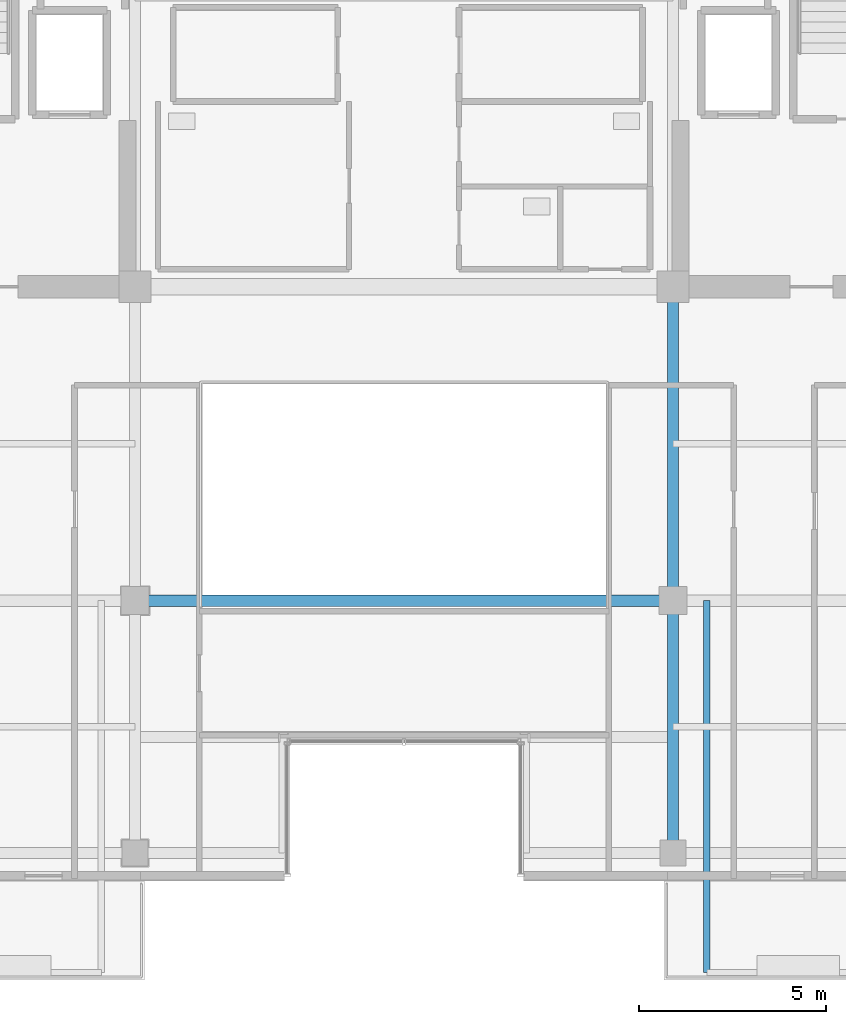
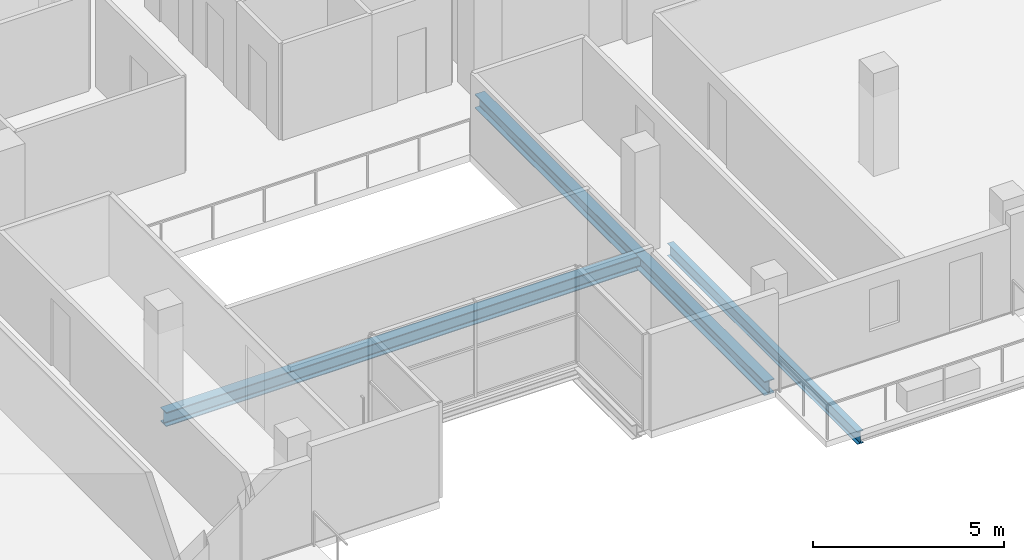
# One storey, part 4 of 24: 4 beams.
"""IFC4 building model written with IfcOpenShell, lengths in metres."""

from ifc_helpers import new_model, si_unit, direction, frame, origin, origin_2d, place, context, subcontext, project, spatial, i_section, extrude, material, material_profile, profile_set, type_object, element, save


model = new_model("IFC4")

# Units and contexts
model_context = context("Model", 3, precision=1e-05, world=origin(), true_north=direction((0.0, 1.0)))
body_context = subcontext(model_context, "Body", "Model", "MODEL_VIEW")
ifc_project = project(units=[si_unit("LENGTHUNIT", "METRE"), si_unit("AREAUNIT", "SQUARE_METRE"), si_unit("VOLUMEUNIT", "CUBIC_METRE"), si_unit("PLANEANGLEUNIT", "RADIAN"), si_unit("MASSUNIT", "GRAM", prefix="KILO")], contexts=[model_context])

# Site, building, storey
site_placement = place(None, origin())
site = spatial("IfcSite", under=ifc_project, at=site_placement, CompositionType="ELEMENT")
building_placement = place(site_placement, origin())
building = spatial("IfcBuilding", under=site, at=building_placement, Name="Zarnakvel Exchange Tower", CompositionType="ELEMENT")
storey_placement = place(building_placement, frame((0.0, 0.0, 235.300048828125)))
storey = spatial("IfcBuildingStorey", under=building, at=storey_placement, Name="L66", CompositionType="ELEMENT", Elevation=235.300048828125)

# Beams
ifc_material = material(Name="Steel S355", Category="steel")
ifc_material_profile_1 = material_profile(ifc_material, i_section(OverallWidth=0.179931640625, OverallDepth=0.39990234375, WebThickness=0.008544921875, FlangeThickness=0.013427734375, FilletRadius=0.02099609375, at=origin_2d()))
ifc_profile_set_1 = profile_set([ifc_material_profile_1], Name="Steel S355")
beam_type_1 = type_object("IfcBeamType", Name="B-06", PredefinedType="JOIST", material=ifc_profile_set_1)
beam_1_placement = place(storey_placement, frame((8.10009765625, -9.60009765625, -0.425048828125), z_axis=(0.0, -1.0, 0.0), x_axis=(1.0, 0.0, 0.0)))
element("IfcBeam", 1, at=beam_1_placement, inside=storey, type_object=beam_type_1, Name="L66 Continuous Back-Spanned Balcony Beam W", PredefinedType="JOIST", context=body_context, shape_type="SweptSolid", body=[
    extrude(i_section(OverallWidth=0.179931640625, OverallDepth=0.39990234375, WebThickness=0.008544921875, FlangeThickness=0.013427734375, FilletRadius=0.02099609375, at=origin_2d()), origin(), (0.0, 0.0, 1.0), 9.949951171875),
])
ifc_material_profile_2 = material_profile(ifc_material, i_section(OverallWidth=0.300048828125, OverallDepth=0.449951171875, WebThickness=0.013916015625, FlangeThickness=0.02587890625, FilletRadius=0.027099609375, at=origin_2d()))
ifc_profile_set_2 = profile_set([ifc_material_profile_2], Name="Steel S355")
beam_type_2 = type_object("IfcBeamType", Name="G-07", PredefinedType="BEAM", material=ifc_profile_set_2)
beam_2_placement = place(storey_placement, frame((-7.199951171875, -9.60009765625, -0.449951171875), z_axis=(1.0, 0.0, 0.0), x_axis=(0.0, 1.0, 0.0)))
element("IfcBeam", 2, at=beam_2_placement, inside=storey, type_object=beam_type_2, Name="L66 Tower E-W Frame Beam", PredefinedType="BEAM", context=body_context, shape_type="SweptSolid", body=[
    extrude(i_section(OverallWidth=0.300048828125, OverallDepth=0.449951171875, WebThickness=0.013916015625, FlangeThickness=0.02587890625, FilletRadius=0.027099609375, at=origin_2d()), origin(), (0.0, 0.0, 1.0), 14.39990234375),
])
beam_3_placement = place(storey_placement, frame((7.199951171875, -16.35009765625, -0.449951171875), z_axis=(0.0, 1.0, 0.0), x_axis=(-1.0, 0.0, 0.0)))
element("IfcBeam", 3, at=beam_3_placement, inside=storey, type_object=beam_type_2, Name="L66 Tower N-S Frame Beam", PredefinedType="BEAM", context=body_context, shape_type="SweptSolid", body=[
    extrude(i_section(OverallWidth=0.300048828125, OverallDepth=0.449951171875, WebThickness=0.013916015625, FlangeThickness=0.02587890625, FilletRadius=0.027099609375, at=origin_2d()), origin(), (0.0, 0.0, 1.0), 6.75),
])
beam_4_placement = place(storey_placement, frame((7.199951171875, -9.60009765625, -0.449951171875), z_axis=(0.0, 1.0, 0.0), x_axis=(-1.0, 0.0, 0.0)))
element("IfcBeam", 4, at=beam_4_placement, inside=storey, type_object=beam_type_2, Name="L66 Tower N-S Frame Beam", PredefinedType="BEAM", context=body_context, shape_type="SweptSolid", body=[
    extrude(i_section(OverallWidth=0.300048828125, OverallDepth=0.449951171875, WebThickness=0.013916015625, FlangeThickness=0.02587890625, FilletRadius=0.027099609375, at=origin_2d()), origin(), (0.0, 0.0, 1.0), 8.400146484375),
])

save(model, "model.ifc")
